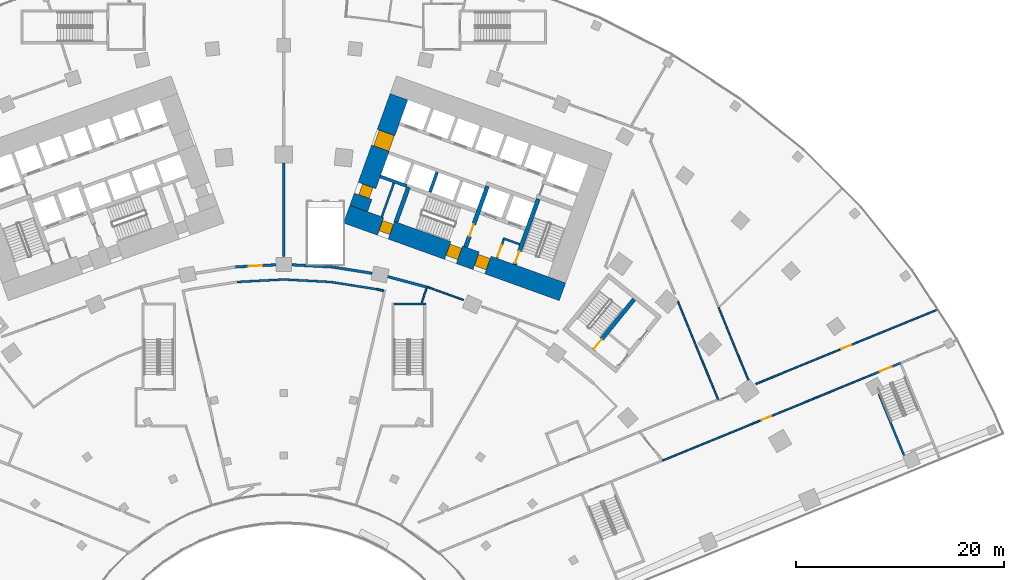
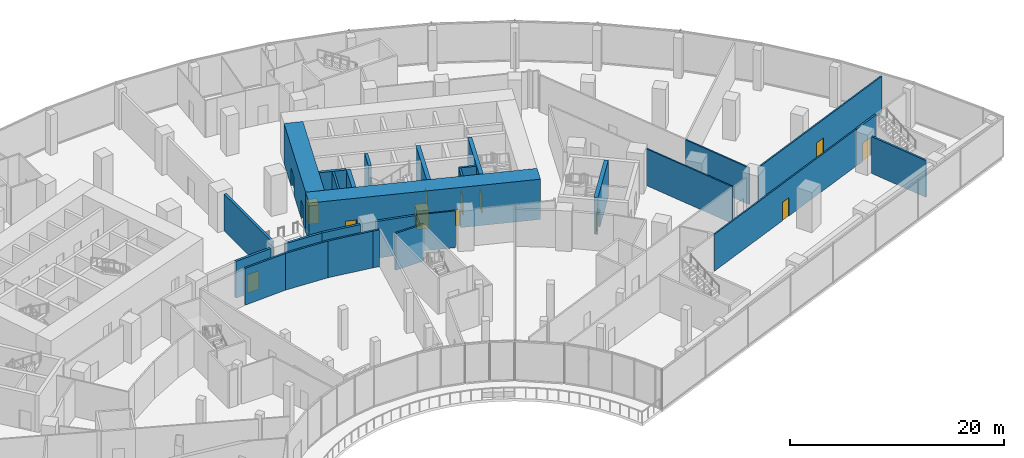
# One storey, part 26 of 40: 29 walls, 13 doors, 13 openings.
"""IFC4 building model written with IfcOpenShell, lengths in metres."""

from ifc_helpers import new_model, si_unit, direction, frame, frame_2d, origin, place, context, subcontext, project, spatial, rectangle, extrude, material, layer, layer_set, type_object, element, fill, save


model = new_model("IFC4")

# Units and contexts
model_context = context("Model", 3, precision=1e-05, world=origin(), true_north=direction((0.0, 1.0)))
body_context = subcontext(model_context, "Body", "Model", "MODEL_VIEW")
ifc_project = project(units=[si_unit("LENGTHUNIT", "METRE"), si_unit("AREAUNIT", "SQUARE_METRE"), si_unit("VOLUMEUNIT", "CUBIC_METRE"), si_unit("PLANEANGLEUNIT", "RADIAN"), si_unit("MASSUNIT", "GRAM", prefix="KILO")], contexts=[model_context])

# Site, building, storey
site_placement = place(None, origin())
site = spatial("IfcSite", under=ifc_project, at=site_placement, CompositionType="ELEMENT")
building_placement = place(site_placement, origin())
building = spatial("IfcBuilding", under=site, at=building_placement, Name="Stone Belt Terrace Tower", CompositionType="ELEMENT")
storey_placement = place(building_placement, frame((0.0, 0.0, 11.60009765625)))
storey = spatial("IfcBuildingStorey", under=building, at=storey_placement, Name="L02", CompositionType="ELEMENT", Elevation=11.60009765625)

# Wall, openings, doors
ifc_material_1 = material(Name="Concrete B80", Category="concrete")
ifc_layer_1 = layer(ifc_material_1, 1.800048828125)
ifc_layer_set_1 = layer_set([ifc_layer_1], Name="Core wall 1800 B80")
wall_type_1 = type_object("IfcWallType", Name="Core wall 1800 B80", PredefinedType="SHEAR", material=ifc_layer_set_1)
wall_1_placement = place(storey_placement, frame((6.039306640625, 49.265380859375, 0.0), z_axis=(0.0, 0.0, 1.0), x_axis=(0.940921642213, -0.338624368902, 0.0)))
wall_1 = element("IfcWall", 1, at=wall_1_placement, inside=storey, type_object=wall_type_1, Name="Core B wall concave L02", PredefinedType="SHEAR", context=body_context, shape_type="SweptSolid", body=[
    extrude(rectangle(XDim=22.0, YDim=1.800048828125, at=frame_2d((11.0, 0.0))), origin(), (0.0, 0.0, 1.0), 4.599853515625),
])
opening_1_placement = place(wall_1_placement, frame((13.199951171875, 0.0, 0.0)))
opening_1 = element("IfcOpeningElement", 2, at=opening_1_placement, cuts=wall_1, Name="Opening L02-C14", PredefinedType="OPENING", context=body_context, shape_type="SweptSolid", body=[
    extrude(rectangle(XDim=1.199951171875, YDim=2.10009765625, at=frame_2d((0.60009765625, 1.050048828125))), frame((0.0, 0.909912109375, 0.0), z_axis=(0.0, -1.0, 0.0), x_axis=(1.0, 0.0, 0.0)), (0.0, 0.0, 1.0), 1.820068359375),
])
opening_2_placement = place(wall_1_placement, frame((10.300048828125, 0.0, 0.0)))
opening_2 = element("IfcOpeningElement", 3, at=opening_2_placement, cuts=wall_1, Name="Opening L02-C16", PredefinedType="OPENING", context=body_context, shape_type="SweptSolid", body=[
    extrude(rectangle(XDim=1.199951171875, YDim=2.10009765625, at=frame_2d((0.60009765625, 1.050048828125))), frame((0.0, 0.909912109375, 0.0), z_axis=(0.0, -1.0, 0.0), x_axis=(1.0, 0.0, 0.0)), (0.0, 0.0, 1.0), 1.820068359375),
])
opening_3_placement = place(wall_1_placement, frame((3.449951171875, 0.0, 0.0)))
opening_3 = element("IfcOpeningElement", 4, at=opening_3_placement, cuts=wall_1, Name="Opening L02-C18", PredefinedType="OPENING", context=body_context, shape_type="SweptSolid", body=[
    extrude(rectangle(XDim=1.10009765625, YDim=2.10009765625, at=frame_2d((0.550048828125, 1.050048828125))), frame((0.0, 0.909912109375, 0.0), z_axis=(0.0, -1.0, 0.0), x_axis=(1.0, 0.0, 0.0)), (0.0, 0.0, 1.0), 1.820068359375),
])
ifc_material_2 = material(Name="Timber door leaf", Category="wood")
door_type_1 = type_object("IfcDoorType", Name="Core room door 1100", OperationType="SINGLE_SWING_LEFT", PredefinedType="DOOR", material=ifc_material_2)
door_1_placement = place(opening_3_placement, origin())
door_1 = element("IfcDoor", 5, at=door_1_placement, inside=storey, type_object=door_type_1, Name="Door to Communications riser room core B", OperationType="SINGLE_SWING_RIGHT", OverallHeight=2.10009765625, OverallWidth=1.10009765625, PredefinedType="DOOR", context=body_context, shape_type="SweptSolid", body=[
    extrude(rectangle(XDim=1.10009765625, YDim=2.10009765625, at=frame_2d((0.550048828125, 1.050048828125))), frame((0.0, 0.60498046875, 0.0), z_axis=(0.0, -1.0, 0.0), x_axis=(1.0, 0.0, 0.0)), (0.0, 0.0, 1.0), 1.050048828125),
])
fill(opening_3, door_1)
ifc_material_3 = material(Name="Steel door leaf", Category="steel")
door_type_2 = type_object("IfcDoorType", Name="Fire-fighting lobby door 1200", OperationType="SINGLE_SWING_LEFT", PredefinedType="DOOR", material=ifc_material_3)
door_2_placement = place(opening_1_placement, origin())
door_2 = element("IfcDoor", 6, at=door_2_placement, inside=storey, type_object=door_type_2, Name="Fire-fighting lobby door core B", OperationType="SINGLE_SWING_RIGHT", OverallHeight=2.10009765625, OverallWidth=1.199951171875, PredefinedType="DOOR", context=body_context, shape_type="SweptSolid", body=[
    extrude(rectangle(XDim=1.199951171875, YDim=2.10009765625, at=frame_2d((0.60009765625, 1.050048828125))), frame((0.0, 0.655029296875, 0.0), z_axis=(0.0, -1.0, 0.0), x_axis=(1.0, 0.0, 0.0)), (0.0, 0.0, 1.0), 1.14990234375),
])
fill(opening_1, door_2)
door_type_3 = type_object("IfcDoorType", Name="Stair door 1200", OperationType="SINGLE_SWING_LEFT", PredefinedType="DOOR", material=ifc_material_3)
door_3_placement = place(opening_2_placement, origin())
door_3 = element("IfcDoor", 7, at=door_3_placement, inside=storey, type_object=door_type_3, Name="Stair 2 exit door core B", OperationType="SINGLE_SWING_LEFT", OverallHeight=2.10009765625, OverallWidth=1.199951171875, PredefinedType="DOOR", context=body_context, shape_type="SweptSolid", body=[
    extrude(rectangle(XDim=1.199951171875, YDim=2.10009765625, at=frame_2d((0.60009765625, 1.050048828125))), frame((0.0, 0.655029296875, 0.0), z_axis=(0.0, -1.0, 0.0), x_axis=(1.0, 0.0, 0.0)), (0.0, 0.0, 1.0), 1.14990234375),
])
fill(opening_2, door_3)

wall_2_placement = place(storey_placement, frame((7.19091796875, 49.8076171875, 0.0), z_axis=(0.0, 0.0, 1.0), x_axis=(0.338632255135, 0.940918804033, 0.0)))
wall_2 = element("IfcWall", 8, at=wall_2_placement, inside=storey, type_object=wall_type_1, Name="Core B wall end_a L02", PredefinedType="SHEAR", context=body_context, shape_type="SweptSolid", body=[
    extrude(rectangle(XDim=11.39990234375, YDim=1.800048828125, at=frame_2d((5.699951171875, 0.0))), origin(), (0.0, 0.0, 1.0), 4.599853515625),
])
opening_4_placement = place(wall_2_placement, frame((6.14990234375, 0.0, 0.0)))
opening_4 = element("IfcOpeningElement", 9, at=opening_4_placement, cuts=wall_2, Name="Opening L02-C11", PredefinedType="OPENING", context=body_context, shape_type="SweptSolid", body=[
    extrude(rectangle(XDim=1.60009765625, YDim=2.10009765625, at=frame_2d((0.800048828125, 1.050048828125))), frame((0.0, 0.909912109375, 0.0), z_axis=(0.0, -1.0, 0.0), x_axis=(1.0, 0.0, 0.0)), (0.0, 0.0, 1.0), 1.820068359375),
])
opening_5_placement = place(wall_2_placement, frame((1.25, 0.0, 0.0)))
opening_5 = element("IfcOpeningElement", 10, at=opening_5_placement, cuts=wall_2, Name="Opening L02-C17", PredefinedType="OPENING", context=body_context, shape_type="SweptSolid", body=[
    extrude(rectangle(XDim=1.10009765625, YDim=2.10009765625, at=frame_2d((0.550048828125, 1.050048828125))), frame((0.0, 0.909912109375, 0.0), z_axis=(0.0, -1.0, 0.0), x_axis=(1.0, 0.0, 0.0)), (0.0, 0.0, 1.0), 1.820068359375),
])
door_4_placement = place(opening_5_placement, origin())
door_4 = element("IfcDoor", 11, at=door_4_placement, inside=storey, type_object=door_type_1, Name="Door to Cleaner's store core B", OperationType="SINGLE_SWING_LEFT", OverallHeight=2.10009765625, OverallWidth=1.10009765625, PredefinedType="DOOR", context=body_context, shape_type="SweptSolid", body=[
    extrude(rectangle(XDim=1.10009765625, YDim=2.10009765625, at=frame_2d((0.550048828125, 1.050048828125))), frame((0.0, 0.44482421875, 0.0), z_axis=(0.0, -1.0, 0.0), x_axis=(1.0, 0.0, 0.0)), (0.0, 0.0, 1.0), 1.050048828125),
])
fill(opening_5, door_4)
ifc_material_4 = material(Name="Glazed aluminium door leaf", Category="aluminium")
door_type_4 = type_object("IfcDoorType", Name="Lift lobby entrance door 1600", OperationType="DOUBLE_DOOR_SINGLE_SWING", PredefinedType="DOOR", material=ifc_material_4)
door_5_placement = place(opening_4_placement, origin())
door_5 = element("IfcDoor", 12, at=door_5_placement, inside=storey, type_object=door_type_4, Name="Lift lobby entrance door core B", OperationType="DOUBLE_DOOR_SINGLE_SWING", OverallHeight=2.10009765625, OverallWidth=1.60009765625, PredefinedType="DOOR", context=body_context, shape_type="SweptSolid", body=[
    extrude(rectangle(XDim=1.60009765625, YDim=2.10009765625, at=frame_2d((0.800048828125, 1.050048828125))), frame((0.0, 0.69482421875, 0.0), z_axis=(0.0, -1.0, 0.0), x_axis=(1.0, 0.0, 0.0)), (0.0, 0.0, 1.0), 1.550048828125),
])
fill(opening_4, door_5)

# Wall, opening, door
ifc_material_5 = material(Name="Fire-resistant glazing in steel frame", Category="steel")
ifc_layer_2 = layer(ifc_material_5, 0.25)
ifc_layer_set_2 = layer_set([ifc_layer_2], Name="Glazed compartment fire screen 250")
wall_type_2 = type_object("IfcWallType", Name="Glazed compartment fire screen 250", PredefinedType="PARTITIONING", material=ifc_layer_set_2)
wall_3_placement = place(storey_placement, frame((-4.6435546875, 44.2001953125, 0.0), z_axis=(0.0, 0.0, 1.0), x_axis=(0.998555259213, 0.053734479607, 0.0)))
wall_3 = element("IfcWall", 13, at=wall_3_placement, inside=storey, type_object=wall_type_2, Name="Compartment fire screen L02 5", PredefinedType="PARTITIONING", context=body_context, shape_type="SweptSolid", body=[
    extrude(rectangle(XDim=3.880126953125, YDim=0.25, at=frame_2d((1.93994140625, 0.0))), origin(), (0.0, 0.0, 1.0), 4.199951171875),
])
opening_6_placement = place(wall_3_placement, frame((1.2900390625, 0.0, 0.0)))
opening_6 = element("IfcOpeningElement", 14, at=opening_6_placement, cuts=wall_3, Name="Opening L02-P35", PredefinedType="OPENING", context=body_context, shape_type="SweptSolid", body=[
    extrude(rectangle(XDim=1.300048828125, YDim=2.10009765625, at=frame_2d((0.64990234375, 1.050048828125))), frame((0.0, 0.135009765625, 0.0), z_axis=(0.0, -1.0, 0.0), x_axis=(1.0, 0.0, 0.0)), (0.0, 0.0, 1.0), 0.27001953125),
])
ifc_material_6 = material(Name="Steel framed fire door leaf", Category="steel")
door_type_5 = type_object("IfcDoorType", Name="Fire door 1300 x 2100 EI 60", OperationType="SINGLE_SWING_LEFT", PredefinedType="DOOR", material=ifc_material_6)
door_6_placement = place(opening_6_placement, origin())
door_6 = element("IfcDoor", 15, at=door_6_placement, inside=storey, type_object=door_type_5, Name="Fire door 1300 x 2100 EI 60", OperationType="SINGLE_SWING_LEFT", OverallHeight=2.10009765625, OverallWidth=1.300048828125, PredefinedType="DOOR", context=body_context, shape_type="SweptSolid", body=[
    extrude(rectangle(XDim=1.300048828125, YDim=2.10009765625, at=frame_2d((0.64990234375, 1.050048828125))), frame((0.0, 0.02490234375, 0.0), z_axis=(0.0, -1.0, 0.0), x_axis=(1.0, 0.0, 0.0)), (0.0, 0.0, 1.0), 0.050048828125),
])
fill(opening_6, door_6)

# Walls
wall_4_placement = place(storey_placement, frame((0.0, 45.215087890625, 0.0), z_axis=(0.0, 0.0, 1.0), x_axis=(0.0, 1.0, 0.0)))
element("IfcWall", 16, at=wall_4_placement, inside=storey, type_object=wall_type_2, Name="Compartment fire screen L02 6", PredefinedType="PARTITIONING", context=body_context, shape_type="SweptSolid", body=[
    extrude(rectangle(XDim=8.93994140625, YDim=0.25, at=frame_2d((4.469970703125, 0.0))), origin(), (0.0, 0.0, 1.0), 4.199951171875),
])
wall_5_placement = place(storey_placement, frame((0.76904296875, 44.40869140625, 0.0), z_axis=(0.0, 0.0, 1.0), x_axis=(0.998555259213, -0.053734479607, 0.0)))
element("IfcWall", 17, at=wall_5_placement, inside=storey, type_object=wall_type_2, Name="Compartment fire screen L02 7", PredefinedType="PARTITIONING", context=body_context, shape_type="SweptSolid", body=[
    extrude(rectangle(XDim=3.880126953125, YDim=0.25, at=frame_2d((1.93994140625, 0.0))), origin(), (0.0, 0.0, 1.0), 4.199951171875),
])
wall_6_placement = place(storey_placement, frame((4.656494140625, 44.198974609375, 0.0), z_axis=(0.0, 0.0, 1.0), x_axis=(0.98758230791, -0.157102466888, 0.0)))
element("IfcWall", 18, at=wall_6_placement, inside=storey, type_object=wall_type_2, Name="Compartment fire screen L02 8", PredefinedType="PARTITIONING", context=body_context, shape_type="SweptSolid", body=[
    extrude(rectangle(XDim=3.87109375, YDim=0.25, at=frame_2d((1.935546875, 0.0))), origin(), (0.0, 0.0, 1.0), 4.199951171875),
])
wall_7_placement = place(storey_placement, frame((9.9833984375, 43.271240234375, 0.0), z_axis=(0.0, 0.0, 1.0), x_axis=(0.966088202912, -0.258212285135, 0.0)))
element("IfcWall", 19, at=wall_7_placement, inside=storey, type_object=wall_type_2, Name="Compartment fire screen L02 9", PredefinedType="PARTITIONING", context=body_context, shape_type="SweptSolid", body=[
    extrude(rectangle(XDim=3.953125, YDim=0.25, at=frame_2d((1.9765625, 0.0))), origin(), (0.0, 0.0, 1.0), 4.199951171875),
])
ifc_layer_3 = layer(ifc_material_1, 0.300048828125)
ifc_layer_set_3 = layer_set([ifc_layer_3], Name="Lift shaft wall 300")
wall_type_3 = type_object("IfcWallType", Name="Lift shaft wall 300", PredefinedType="SHEAR", material=ifc_layer_set_3)
wall_8_placement = place(storey_placement, frame((14.029052734375, 51.38525390625, 0.0), z_axis=(0.0, 0.0, 1.0), x_axis=(0.338681515556, 0.940901073982, 0.0)))
element("IfcWall", 20, at=wall_8_placement, inside=storey, type_object=wall_type_3, Name="Core B wall", PredefinedType="SHEAR", context=body_context, shape_type="SweptSolid", body=[
    extrude(rectangle(XDim=2.050048828125, YDim=0.300048828125, at=frame_2d((1.02490234375, 0.0))), origin(), (0.0, 0.0, 1.0), 4.199951171875),
])
wall_9_placement = place(storey_placement, frame((11.797119140625, 51.975830078125, 0.0), z_axis=(0.0, 0.0, 1.0), x_axis=(-0.940910465161, 0.33865542451, 0.0)))
element("IfcWall", 21, at=wall_9_placement, inside=storey, type_object=wall_type_3, Name="Core B wall", PredefinedType="SHEAR", context=body_context, shape_type="SweptSolid", body=[
    extrude(rectangle(XDim=2.69970703125, YDim=0.300048828125, at=frame_2d((1.349853515625, 0.0))), origin(), (0.0, 0.0, 1.0), 4.199951171875),
])
ifc_material_7 = material(Name="Blockwork wall, plastered both faces", Category="masonry")
ifc_layer_4 = layer(ifc_material_7, 0.199951171875)
ifc_layer_set_4 = layer_set([ifc_layer_4], Name="Podium demising wall 200")
wall_type_4 = type_object("IfcWallType", Name="Podium demising wall 200", PredefinedType="PARTITIONING", material=ifc_layer_set_4)
for number, where, z_axis, x_axis, name in (
    (22, (-4.494873046875, 42.76025390625, 0.0), (0.0, 0.0, 1.0), (0.998580072969, 0.053271360682, 0.0), "Podium demising wall 200"),
    (23, (0.00537109375, 42.999755859375, 0.0), (0.0, 0.0, 1.0), (0.998580072969, -0.053271360682, 0.0), "Podium demising wall 200"),
):
    element("IfcWall", number, at=place(storey_placement, frame(where, z_axis=z_axis, x_axis=x_axis)), inside=storey, type_object=wall_type_4, Name=name, PredefinedType="PARTITIONING", context=body_context, shape_type="SweptSolid", body=[
        extrude(rectangle(XDim=4.495849609375, YDim=0.199951171875, at=frame_2d((2.248046875, 0.0))), origin(), (0.0, 0.0, 1.0), 4.199951171875),
    ])
wall_10_placement = place(storey_placement, frame((4.505126953125, 42.75927734375, 0.0), z_axis=(0.0, 0.0, 1.0), x_axis=(0.987798676931, -0.155736231663, 0.0)))
element("IfcWall", 24, at=wall_10_placement, inside=storey, type_object=wall_type_4, Name="Podium demising wall 200", PredefinedType="PARTITIONING", context=body_context, shape_type="SweptSolid", body=[
    extrude(rectangle(XDim=4.486572265625, YDim=0.199951171875, at=frame_2d((2.2431640625, 0.0))), origin(), (0.0, 0.0, 1.0), 4.199951171875),
])
wall_11_placement = place(storey_placement, frame((8.94287109375, 42.059326171875, 0.0), z_axis=(0.0, 0.0, 1.0), x_axis=(0.976815897782, -0.214081063711, 0.0)))
element("IfcWall", 25, at=wall_11_placement, inside=storey, type_object=wall_type_4, Name="Podium demising wall 200", PredefinedType="PARTITIONING", context=body_context, shape_type="SweptSolid", body=[
    extrude(rectangle(XDim=0.644287109375, YDim=0.199951171875, at=frame_2d((0.322265625, 0.0))), origin(), (0.0, 0.0, 1.0), 4.199951171875),
])
ifc_material_8 = material(Name="Gypsum board on steel stud partition", Category="steel")
ifc_layer_5 = layer(ifc_material_8, 0.14990234375)
ifc_layer_set_5 = layer_set([ifc_layer_5], Name="Podium partition 150")
wall_type_5 = type_object("IfcWallType", Name="Podium partition 150", PredefinedType="PARTITIONING", material=ifc_layer_set_5)
wall_12_placement = place(storey_placement, frame((13.249755859375, 40.78271484375, 0.0), z_axis=(0.0, 0.0, 1.0), x_axis=(0.307196276842, 0.951646177681, 0.0)))
element("IfcWall", 26, at=wall_12_placement, inside=storey, type_object=wall_type_5, Name="Podium partition 150", PredefinedType="PARTITIONING", context=body_context, shape_type="SweptSolid", body=[
    extrude(rectangle(XDim=1.437744140625, YDim=0.14990234375, at=frame_2d((0.71875, 0.0))), origin(), (0.0, 0.0, 1.0), 4.199951171875),
])
wall_13_placement = place(storey_placement, frame((13.815185546875, 42.27294921875, 0.0), z_axis=(0.0, 0.0, 1.0), x_axis=(0.940757052125, -0.339081360263, 0.0)))
element("IfcWall", 27, at=wall_13_placement, inside=storey, type_object=wall_type_5, Name="Podium partition 150", PredefinedType="PARTITIONING", context=body_context, shape_type="SweptSolid", body=[
    extrude(rectangle(XDim=3.65478515625, YDim=0.14990234375, at=frame_2d((1.827392578125, 0.0))), origin(), (0.0, 0.0, 1.0), 4.199951171875),
])
wall_14_placement = place(storey_placement, frame((37.822265625, 40.882080078125, 0.0), z_axis=(0.0, 0.0, 1.0), x_axis=(0.379243967023, -0.925296716452, 0.0)))
element("IfcWall", 28, at=wall_14_placement, inside=storey, type_object=wall_type_5, Name="Podium partition 150", PredefinedType="PARTITIONING", context=body_context, shape_type="SweptSolid", body=[
    extrude(rectangle(XDim=10.171875, YDim=0.14990234375, at=frame_2d((5.0859375, 0.0))), origin(), (0.0, 0.0, 1.0), 4.199951171875),
])

# Wall, opening, door
wall_15_placement = place(storey_placement, frame((36.300048828125, 25.60009765625, 0.0), z_axis=(0.0, 0.0, 1.0), x_axis=(0.925327227709, 0.379169515733, 0.0)))
wall_15 = element("IfcWall", 29, at=wall_15_placement, inside=storey, type_object=wall_type_5, Name="Podium partition 150", PredefinedType="PARTITIONING", context=body_context, shape_type="SweptSolid", body=[
    extrude(rectangle(XDim=21.678955078125, YDim=0.14990234375, at=frame_2d((10.83935546875, 0.0))), origin(), (0.0, 0.0, 1.0), 4.199951171875),
])
opening_7_placement = place(wall_15_placement, frame((10.33935546875, 0.0, 0.0)))
opening_7 = element("IfcOpeningElement", 30, at=opening_7_placement, cuts=wall_15, Name="Opening L02-P20", PredefinedType="OPENING", context=body_context, shape_type="SweptSolid", body=[
    extrude(rectangle(XDim=1.0, YDim=2.10009765625, at=frame_2d((0.5, 1.050048828125))), frame((0.0, 0.0849609375, 0.0), z_axis=(0.0, -1.0, 0.0), x_axis=(1.0, 0.0, 0.0)), (0.0, 0.0, 1.0), 0.169921875),
])
ifc_material_9 = material(Name="Steel framed door leaf", Category="steel")
door_type_6 = type_object("IfcDoorType", Name="Podium door single 1000", OperationType="SINGLE_SWING_LEFT", PredefinedType="DOOR", material=ifc_material_9)
door_7_placement = place(opening_7_placement, origin())
door_7 = element("IfcDoor", 31, at=door_7_placement, inside=storey, type_object=door_type_6, Name="Podium door single 1000", OperationType="SINGLE_SWING_RIGHT", OverallHeight=2.10009765625, OverallWidth=1.0, PredefinedType="DOOR", context=body_context, shape_type="SweptSolid", body=[
    extrude(rectangle(XDim=1.0, YDim=2.10009765625, at=frame_2d((0.5, 1.050048828125))), frame((0.0, 0.02490234375, 0.0), z_axis=(0.0, -1.0, 0.0), x_axis=(1.0, 0.0, 0.0)), (0.0, 0.0, 1.0), 0.050048828125),
])
fill(opening_7, door_7)

# Wall
wall_16_placement = place(storey_placement, frame((41.73193359375, 40.295166015625, 0.0), z_axis=(0.0, 0.0, 1.0), x_axis=(0.37920608178, -0.925312243268, 0.0)))
element("IfcWall", 32, at=wall_16_placement, inside=storey, type_object=wall_type_5, Name="Podium partition 150", PredefinedType="PARTITIONING", context=body_context, shape_type="SweptSolid", body=[
    extrude(rectangle(XDim=7.511474609375, YDim=0.14990234375, at=frame_2d((3.755859375, 0.0))), origin(), (0.0, 0.0, 1.0), 4.199951171875),
])

# Wall, opening, door
wall_17_placement = place(storey_placement, frame((45.29345703125, 32.964111328125, 0.0), z_axis=(0.0, 0.0, 1.0), x_axis=(0.925299264419, 0.379237750318, 0.0)))
wall_17 = element("IfcWall", 33, at=wall_17_placement, inside=storey, type_object=wall_type_5, Name="Podium partition 150", PredefinedType="PARTITIONING", context=body_context, shape_type="SweptSolid", body=[
    extrude(rectangle(XDim=18.887451171875, YDim=0.14990234375, at=frame_2d((9.44384765625, 0.0))), origin(), (0.0, 0.0, 1.0), 4.199951171875),
])
opening_8_placement = place(wall_17_placement, frame((8.89501953125, 0.0, 0.0)))
opening_8 = element("IfcOpeningElement", 34, at=opening_8_placement, cuts=wall_17, Name="Opening L02-P33", PredefinedType="OPENING", context=body_context, shape_type="SweptSolid", body=[
    extrude(rectangle(XDim=1.0, YDim=2.10009765625, at=frame_2d((0.5, 1.050048828125))), frame((0.0, 0.0849609375, 0.0), z_axis=(0.0, -1.0, 0.0), x_axis=(1.0, 0.0, 0.0)), (0.0, 0.0, 1.0), 0.169921875),
])
door_8_placement = place(opening_8_placement, origin())
door_8 = element("IfcDoor", 35, at=door_8_placement, inside=storey, type_object=door_type_6, Name="Podium door single 1000", OperationType="SINGLE_SWING_LEFT", OverallHeight=2.10009765625, OverallWidth=1.0, PredefinedType="DOOR", context=body_context, shape_type="SweptSolid", body=[
    extrude(rectangle(XDim=1.0, YDim=2.10009765625, at=frame_2d((0.5, 1.050048828125))), frame((0.0, 0.02490234375, 0.0), z_axis=(0.0, -1.0, 0.0), x_axis=(1.0, 0.0, 0.0)), (0.0, 0.0, 1.0), 0.050048828125),
])
fill(opening_8, door_8)

# Wall
ifc_material_10 = material(Name="Concrete B30", Category="concrete")
ifc_layer_6 = layer(ifc_material_10, 0.199951171875)
ifc_layer_set_6 = layer_set([ifc_layer_6], Name="Podium stair and shaft wall 200")
wall_type_6 = type_object("IfcWallType", Name="Podium stair and shaft wall 200", PredefinedType="SOLIDWALL", material=ifc_layer_set_6)
wall_18_placement = place(storey_placement, frame((10.570068359375, 40.659912109375, 0.0), z_axis=(0.0, 0.0, 1.0), x_axis=(1.0, 0.0, 0.0)))
element("IfcWall", 36, at=wall_18_placement, inside=storey, type_object=wall_type_6, Name="Podium stair and shaft wall 200", PredefinedType="SOLIDWALL", context=body_context, shape_type="SweptSolid", body=[
    extrude(rectangle(XDim=3.059814453125, YDim=0.199951171875, at=frame_2d((1.52978515625, 0.0))), origin(), (0.0, 0.0, 1.0), 4.199951171875),
])

# Wall, opening, door
wall_19_placement = place(storey_placement, frame((56.360107421875, 33.820068359375, 0.0), z_axis=(0.0, 0.0, 1.0), x_axis=(0.924815674246, 0.380415521068, 0.0)))
wall_19 = element("IfcWall", 37, at=wall_19_placement, inside=storey, type_object=wall_type_6, Name="Podium stair and shaft wall 200", PredefinedType="SOLIDWALL", context=body_context, shape_type="SweptSolid", body=[
    extrude(rectangle(XDim=3.049072265625, YDim=0.199951171875, at=frame_2d((1.5244140625, 0.0))), origin(), (0.0, 0.0, 1.0), 4.199951171875),
])
opening_9_placement = place(wall_19_placement, frame((0.924560546875, 0.0, 0.0)))
opening_9 = element("IfcOpeningElement", 38, at=opening_9_placement, cuts=wall_19, Name="Opening L02-P04", PredefinedType="OPENING", context=body_context, shape_type="SweptSolid", body=[
    extrude(rectangle(XDim=1.199951171875, YDim=2.10009765625, at=frame_2d((0.60009765625, 1.050048828125))), frame((0.0, 0.10986328125, 0.0), z_axis=(0.0, -1.0, 0.0), x_axis=(1.0, 0.0, 0.0)), (0.0, 0.0, 1.0), 0.219970703125),
])
door_type_7 = type_object("IfcDoorType", Name="Podium door fire stair 1200", OperationType="SINGLE_SWING_LEFT", PredefinedType="DOOR", material=ifc_material_9)
door_9_placement = place(opening_9_placement, origin())
door_9 = element("IfcDoor", 39, at=door_9_placement, inside=storey, type_object=door_type_7, Name="Podium door fire stair 1200", OperationType="SINGLE_SWING_RIGHT", OverallHeight=2.10009765625, OverallWidth=1.199951171875, PredefinedType="DOOR", context=body_context, shape_type="SweptSolid", body=[
    extrude(rectangle(XDim=1.199951171875, YDim=2.10009765625, at=frame_2d((0.60009765625, 1.050048828125))), frame((0.0, 0.02490234375, 0.0), z_axis=(0.0, -1.0, 0.0), x_axis=(1.0, 0.0, 0.0)), (0.0, 0.0, 1.0), 0.050048828125),
])
fill(opening_9, door_9)

# Walls
wall_20_placement = place(storey_placement, frame((57.094482421875, 32.02880859375, 0.0), z_axis=(0.0, 0.0, 1.0), x_axis=(0.379309770486, -0.92526974338, 0.0)))
element("IfcWall", 40, at=wall_20_placement, inside=storey, type_object=wall_type_6, Name="Podium stair and shaft wall 200", PredefinedType="SOLIDWALL", context=body_context, shape_type="SweptSolid", body=[
    extrude(rectangle(XDim=6.388916015625, YDim=0.199951171875, at=frame_2d((3.1943359375, 0.0))), origin(), (0.0, 0.0, 1.0), 4.199951171875),
])
ifc_material_11 = material(Name="Concrete masonry block", Category="masonry")
ifc_layer_7 = layer(ifc_material_11, 0.199951171875)
ifc_layer_set_7 = layer_set([ifc_layer_7], Name="Rated lobby wall 200")
wall_type_7 = type_object("IfcWallType", Name="Rated lobby wall 200", PredefinedType="PARTITIONING", material=ifc_layer_set_7)
wall_21_placement = place(storey_placement, frame((22.640625, 46.373046875, 0.0), z_axis=(0.0, 0.0, 1.0), x_axis=(-0.940966110313, 0.338500781747, 0.0)))
element("IfcWall", 41, at=wall_21_placement, inside=storey, type_object=wall_type_7, Name="Core B wall", PredefinedType="PARTITIONING", context=body_context, shape_type="SweptSolid", body=[
    extrude(rectangle(XDim=1.699951171875, YDim=0.199951171875, at=frame_2d((0.85009765625, 0.0))), origin(), (0.0, 0.0, 1.0), 4.199951171875),
])

# Wall, opening, door
wall_22_placement = place(storey_placement, frame((20.4580078125, 45.032958984375, 0.0), z_axis=(0.0, 0.0, 1.0), x_axis=(0.338573865316, 0.940939816208, 0.0)))
wall_22 = element("IfcWall", 42, at=wall_22_placement, inside=storey, type_object=wall_type_7, Name="Core B wall", PredefinedType="PARTITIONING", context=body_context, shape_type="SweptSolid", body=[
    extrude(rectangle(XDim=1.900146484375, YDim=0.199951171875, at=frame_2d((0.9501953125, 0.0))), origin(), (0.0, 0.0, 1.0), 4.199951171875),
])
opening_10_placement = place(wall_22_placement, frame((0.14990234375, 0.0, 0.0)))
opening_10 = element("IfcOpeningElement", 43, at=opening_10_placement, cuts=wall_22, Name="Opening L02-C13", PredefinedType="OPENING", context=body_context, shape_type="SweptSolid", body=[
    extrude(rectangle(XDim=1.199951171875, YDim=2.10009765625, at=frame_2d((0.60009765625, 1.050048828125))), frame((0.0, 0.10986328125, 0.0), z_axis=(0.0, -1.0, 0.0), x_axis=(1.0, 0.0, 0.0)), (0.0, 0.0, 1.0), 0.219970703125),
])
door_10_placement = place(opening_10_placement, origin())
door_10 = element("IfcDoor", 44, at=door_10_placement, inside=storey, type_object=door_type_3, Name="Stair airlock door core B", OperationType="SINGLE_SWING_RIGHT", OverallHeight=2.10009765625, OverallWidth=1.199951171875, PredefinedType="DOOR", context=body_context, shape_type="SweptSolid", body=[
    extrude(rectangle(XDim=1.199951171875, YDim=2.10009765625, at=frame_2d((0.60009765625, 1.050048828125))), frame((0.0, 0.02490234375, 0.0), z_axis=(0.0, -1.0, 0.0), x_axis=(1.0, 0.0, 0.0)), (0.0, 0.0, 1.0), 0.050048828125),
])
fill(opening_10, door_10)

# Wall
wall_23_placement = place(storey_placement, frame((9.402099609375, 49.01171875, 0.0), z_axis=(0.0, 0.0, 1.0), x_axis=(0.338599189079, 0.940930703695, 0.0)))
element("IfcWall", 45, at=wall_23_placement, inside=storey, type_object=wall_type_7, Name="Core B wall", PredefinedType="PARTITIONING", context=body_context, shape_type="SweptSolid", body=[
    extrude(rectangle(XDim=3.4501953125, YDim=0.199951171875, at=frame_2d((1.72509765625, 0.0))), origin(), (0.0, 0.0, 1.0), 4.199951171875),
])

# Wall, opening, door
ifc_layer_8 = layer(ifc_material_1, 0.39990234375)
ifc_layer_set_8 = layer_set([ifc_layer_8], Name="Stair enclosure wall 400")
wall_type_8 = type_object("IfcWallType", Name="Stair enclosure wall 400", PredefinedType="SHEAR", material=ifc_layer_set_8)
wall_24_placement = place(storey_placement, frame((22.151611328125, 44.42333984375, 0.0), z_axis=(0.0, 0.0, 1.0), x_axis=(0.338625272931, 0.940921316866, 0.0)))
wall_24 = element("IfcWall", 46, at=wall_24_placement, inside=storey, type_object=wall_type_8, Name="Core B wall", PredefinedType="SHEAR", context=body_context, shape_type="SweptSolid", body=[
    extrude(rectangle(XDim=6.699951171875, YDim=0.39990234375, at=frame_2d((3.35009765625, 0.0))), origin(), (0.0, 0.0, 1.0), 4.199951171875),
])
opening_11_placement = place(wall_24_placement, frame((0.14990234375, 0.0, 0.0)))
opening_11 = element("IfcOpeningElement", 47, at=opening_11_placement, cuts=wall_24, Name="Opening L02-C12", PredefinedType="OPENING", context=body_context, shape_type="SweptSolid", body=[
    extrude(rectangle(XDim=1.199951171875, YDim=2.10009765625, at=frame_2d((0.60009765625, 1.050048828125))), frame((0.0, 0.2099609375, 0.0), z_axis=(0.0, -1.0, 0.0), x_axis=(1.0, 0.0, 0.0)), (0.0, 0.0, 1.0), 0.419921875),
])
door_11_placement = place(opening_11_placement, origin())
door_11 = element("IfcDoor", 48, at=door_11_placement, inside=storey, type_object=door_type_3, Name="Stair 1 door core B", OperationType="SINGLE_SWING_RIGHT", OverallHeight=2.10009765625, OverallWidth=1.199951171875, PredefinedType="DOOR", context=body_context, shape_type="SweptSolid", body=[
    extrude(rectangle(XDim=1.199951171875, YDim=2.10009765625, at=frame_2d((0.60009765625, 1.050048828125))), frame((0.0, 0.02490234375, 0.0), z_axis=(0.0, -1.0, 0.0), x_axis=(1.0, 0.0, 0.0)), (0.0, 0.0, 1.0), 0.050048828125),
])
fill(opening_11, door_11)

wall_25_placement = place(storey_placement, frame((17.447021484375, 46.116455078125, 0.0), z_axis=(0.0, 0.0, 1.0), x_axis=(0.33860791464, 0.940927563707, 0.0)))
wall_25 = element("IfcWall", 49, at=wall_25_placement, inside=storey, type_object=wall_type_8, Name="Core B wall", PredefinedType="SHEAR", context=body_context, shape_type="SweptSolid", body=[
    extrude(rectangle(XDim=6.199951171875, YDim=0.39990234375, at=frame_2d((3.10009765625, 0.0))), origin(), (0.0, 0.0, 1.0), 4.199951171875),
])
opening_12_placement = place(wall_25_placement, frame((1.10009765625, 0.0, 0.0)))
opening_12 = element("IfcOpeningElement", 50, at=opening_12_placement, cuts=wall_25, Name="Opening L02-C15", PredefinedType="OPENING", context=body_context, shape_type="SweptSolid", body=[
    extrude(rectangle(XDim=1.199951171875, YDim=2.10009765625, at=frame_2d((0.60009765625, 1.050048828125))), frame((0.0, 0.2099609375, 0.0), z_axis=(0.0, -1.0, 0.0), x_axis=(1.0, 0.0, 0.0)), (0.0, 0.0, 1.0), 0.419921875),
])
door_12_placement = place(opening_12_placement, origin())
door_12 = element("IfcDoor", 51, at=door_12_placement, inside=storey, type_object=door_type_3, Name="Stair 2 door core B", OperationType="SINGLE_SWING_RIGHT", OverallHeight=2.10009765625, OverallWidth=1.199951171875, PredefinedType="DOOR", context=body_context, shape_type="SweptSolid", body=[
    extrude(rectangle(XDim=1.199951171875, YDim=2.10009765625, at=frame_2d((0.60009765625, 1.050048828125))), frame((0.0, 0.02490234375, 0.0), z_axis=(0.0, -1.0, 0.0), x_axis=(1.0, 0.0, 0.0)), (0.0, 0.0, 1.0), 0.050048828125),
])
fill(opening_12, door_12)

# Wall
wall_26_placement = place(storey_placement, frame((10.766357421875, 48.520751953125, 0.0), z_axis=(0.0, 0.0, 1.0), x_axis=(0.338626928157, 0.94092072117, 0.0)))
element("IfcWall", 52, at=wall_26_placement, inside=storey, type_object=wall_type_8, Name="Core B wall", PredefinedType="SHEAR", context=body_context, shape_type="SweptSolid", body=[
    extrude(rectangle(XDim=3.550048828125, YDim=0.39990234375, at=frame_2d((1.77490234375, 0.0))), origin(), (0.0, 0.0, 1.0), 4.199951171875),
])

# Wall, opening, door
wall_27_placement = place(storey_placement, frame((29.7119140625, 36.288330078125, 0.0), z_axis=(0.0, 0.0, 1.0), x_axis=(0.630192283849, 0.776439106033, 0.0)))
wall_27 = element("IfcWall", 53, at=wall_27_placement, inside=storey, type_object=wall_type_8, Name="Exit stair ST3B wall", PredefinedType="SHEAR", context=body_context, shape_type="SweptSolid", body=[
    extrude(rectangle(XDim=6.199951171875, YDim=0.39990234375, at=frame_2d((3.10009765625, 0.0))), origin(), (0.0, 0.0, 1.0), 4.199951171875),
])
opening_13_placement = place(wall_27_placement, frame((0.050048828125, 0.0, 0.0)))
opening_13 = element("IfcOpeningElement", 54, at=opening_13_placement, cuts=wall_27, Name="Opening L02-C22", PredefinedType="OPENING", context=body_context, shape_type="SweptSolid", body=[
    extrude(rectangle(XDim=1.199951171875, YDim=2.10009765625, at=frame_2d((0.60009765625, 1.050048828125))), frame((0.0, 0.2099609375, 0.0), z_axis=(0.0, -1.0, 0.0), x_axis=(1.0, 0.0, 0.0)), (0.0, 0.0, 1.0), 0.419921875),
])
door_13_placement = place(opening_13_placement, origin())
door_13 = element("IfcDoor", 55, at=door_13_placement, inside=storey, type_object=door_type_3, Name="Stair door ST3B", OperationType="SINGLE_SWING_RIGHT", OverallHeight=2.10009765625, OverallWidth=1.199951171875, PredefinedType="DOOR", context=body_context, shape_type="SweptSolid", body=[
    extrude(rectangle(XDim=1.199951171875, YDim=2.10009765625, at=frame_2d((0.60009765625, 1.050048828125))), frame((0.0, 0.02490234375, 0.0), z_axis=(0.0, -1.0, 0.0), x_axis=(1.0, 0.0, 0.0)), (0.0, 0.0, 1.0), 0.050048828125),
])
fill(opening_13, door_13)

save(model, "model.ifc")
